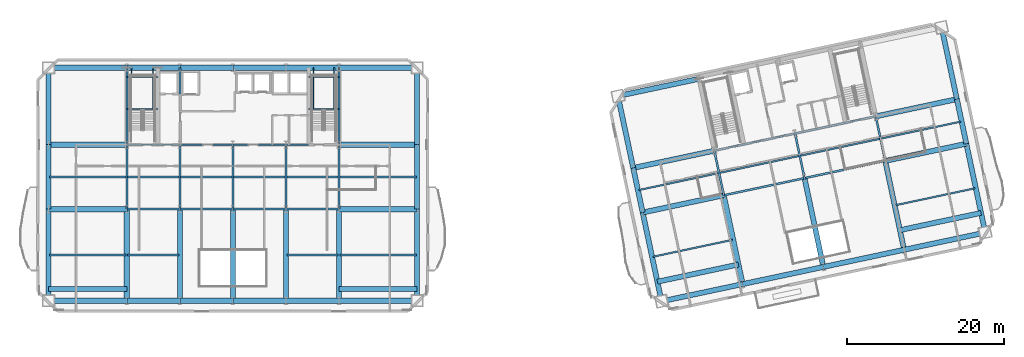
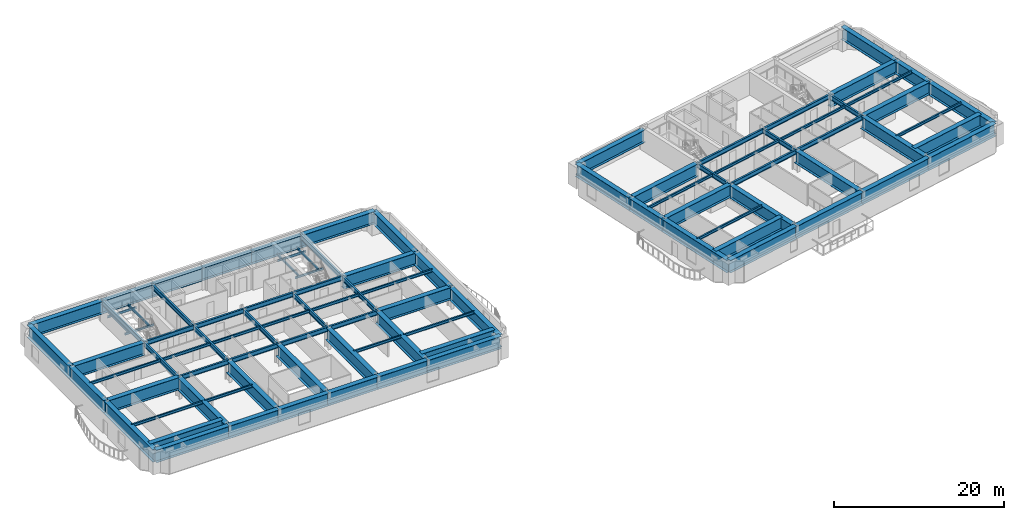
# One storey, part 3 of 16: 96 beams.
"""IFC4 building model written with IfcOpenShell, lengths in metres."""

from ifc_helpers import new_model, si_unit, direction, frame, origin, origin_2d, place, context, subcontext, project, spatial, i_section, extrude, material, material_profile, profile_set, type_object, element, save


model = new_model("IFC4")

# Units and contexts
model_context = context("Model", 3, precision=1e-05, world=origin(), true_north=direction((0.0, 1.0)))
body_context = subcontext(model_context, "Body", "Model", "MODEL_VIEW")
ifc_project = project(units=[si_unit("LENGTHUNIT", "METRE"), si_unit("AREAUNIT", "SQUARE_METRE"), si_unit("VOLUMEUNIT", "CUBIC_METRE"), si_unit("PLANEANGLEUNIT", "RADIAN"), si_unit("MASSUNIT", "GRAM", prefix="KILO")], contexts=[model_context])

# Site, building, storey
site_placement = place(None, origin())
site = spatial("IfcSite", under=ifc_project, at=site_placement, CompositionType="ELEMENT")
building_placement = place(site_placement, origin())
building = spatial("IfcBuilding", under=site, at=building_placement, Name="Haevon Station Towers", CompositionType="ELEMENT")
storey_placement = place(building_placement, frame((0.0, 0.0, 90.0)))
storey = spatial("IfcBuildingStorey", under=building, at=storey_placement, Name="L23", CompositionType="ELEMENT", Elevation=90.0)

# Beams
ifc_material_1 = material(Name="Steel S355", Category="steel")
ifc_material_profile_1 = material_profile(ifc_material_1, i_section(OverallWidth=0.25, OverallDepth=0.64990234375, WebThickness=0.012939453125, FlangeThickness=0.02197265625, at=origin_2d()), Name="H-650x250x13x22")
ifc_profile_set_1 = profile_set([ifc_material_profile_1], Name="Steel S355")
beam_type_1 = type_object("IfcBeamType", Name="BM-G650", PredefinedType="BEAM", material=ifc_profile_set_1)
for number, where, z_axis, x_axis, name in (
    (1, (24.0, 30.0, 2.72509765625), (1.0, 0.0, 0.0), (0.0, 1.0, 0.0), "BM-T1U-L23-02-02"),
    (2, (30.75, 30.0, 2.72509765625), (1.0, 0.0, 0.0), (0.0, 1.0, 0.0), "BM-T1U-L23-02-03"),
    (3, (37.5, 30.0, 2.72509765625), (1.0, 0.0, 0.0), (0.0, 1.0, 0.0), "BM-T1U-L23-02-04"),
    (4, (44.25, 30.0, 2.72509765625), (1.0, 0.0, 0.0), (0.0, 1.0, 0.0), "BM-T1U-L23-02-05"),
    (5, (24.0, 38.199951171875, 2.72509765625), (1.0, 0.0, 0.0), (0.0, 1.0, 0.0), "BM-T1U-L23-03-02"),
    (6, (30.75, 38.199951171875, 2.72509765625), (1.0, 0.0, 0.0), (0.0, 1.0, 0.0), "BM-T1U-L23-03-03"),
    (7, (37.5, 38.199951171875, 2.72509765625), (1.0, 0.0, 0.0), (0.0, 1.0, 0.0), "BM-T1U-L23-03-04"),
    (8, (44.25, 38.199951171875, 2.72509765625), (1.0, 0.0, 0.0), (0.0, 1.0, 0.0), "BM-T1U-L23-03-05"),
):
    element("IfcBeam", number, at=place(storey_placement, frame(where, z_axis=z_axis, x_axis=x_axis)), inside=storey, type_object=beam_type_1, Name=name, PredefinedType="BEAM", context=body_context, shape_type="SweptSolid", body=[
        extrude(i_section(OverallWidth=0.25, OverallDepth=0.64990234375, WebThickness=0.012939453125, FlangeThickness=0.02197265625, at=origin_2d()), origin(), (0.0, 0.0, 1.0), 6.75),
    ])
beam_1_placement = place(storey_placement, frame((24.0, 30.0, 2.72509765625), z_axis=(0.0, 1.0, 0.0), x_axis=(-1.0, 0.0, 0.0)))
element("IfcBeam", 9, at=beam_1_placement, inside=storey, type_object=beam_type_1, Name="BM-T1V-L23-02-02", PredefinedType="BEAM", context=body_context, shape_type="SweptSolid", body=[
    extrude(i_section(OverallWidth=0.25, OverallDepth=0.64990234375, WebThickness=0.012939453125, FlangeThickness=0.02197265625, at=origin_2d()), origin(), (0.0, 0.0, 1.0), 8.199951171875),
])
beam_2_placement = place(storey_placement, frame((24.0, 38.199951171875, 2.72509765625), z_axis=(0.0, 1.0, 0.0), x_axis=(-1.0, 0.0, 0.0)))
element("IfcBeam", 10, at=beam_2_placement, inside=storey, type_object=beam_type_1, Name="BM-T1V-L23-02-03", PredefinedType="BEAM", context=body_context, shape_type="SweptSolid", body=[
    extrude(i_section(OverallWidth=0.25, OverallDepth=0.64990234375, WebThickness=0.012939453125, FlangeThickness=0.02197265625, at=origin_2d()), origin(), (0.0, 0.0, 1.0), 9.800048828125),
])
beam_3_placement = place(storey_placement, frame((30.75, 30.0, 2.72509765625), z_axis=(0.0, 1.0, 0.0), x_axis=(-1.0, 0.0, 0.0)))
element("IfcBeam", 11, at=beam_3_placement, inside=storey, type_object=beam_type_1, Name="BM-T1V-L23-03-02", PredefinedType="BEAM", context=body_context, shape_type="SweptSolid", body=[
    extrude(i_section(OverallWidth=0.25, OverallDepth=0.64990234375, WebThickness=0.012939453125, FlangeThickness=0.02197265625, at=origin_2d()), origin(), (0.0, 0.0, 1.0), 8.199951171875),
])
beam_4_placement = place(storey_placement, frame((30.75, 38.199951171875, 2.72509765625), z_axis=(0.0, 1.0, 0.0), x_axis=(-1.0, 0.0, 0.0)))
element("IfcBeam", 12, at=beam_4_placement, inside=storey, type_object=beam_type_1, Name="BM-T1V-L23-03-03", PredefinedType="BEAM", context=body_context, shape_type="SweptSolid", body=[
    extrude(i_section(OverallWidth=0.25, OverallDepth=0.64990234375, WebThickness=0.012939453125, FlangeThickness=0.02197265625, at=origin_2d()), origin(), (0.0, 0.0, 1.0), 9.800048828125),
])
for number, where, z_axis, x_axis, name in (
    (13, (37.5, 30.0, 2.72509765625), (0.0, 1.0, 0.0), (-1.0, 0.0, 0.0), "BM-T1V-L23-04-02"),
    (14, (44.25, 30.0, 2.72509765625), (0.0, 1.0, 0.0), (-1.0, 0.0, 0.0), "BM-T1V-L23-05-02"),
    (15, (51.0, 30.0, 2.72509765625), (0.0, 1.0, 0.0), (-1.0, 0.0, 0.0), "BM-T1V-L23-06-02"),
):
    element("IfcBeam", number, at=place(storey_placement, frame(where, z_axis=z_axis, x_axis=x_axis)), inside=storey, type_object=beam_type_1, Name=name, PredefinedType="BEAM", context=body_context, shape_type="SweptSolid", body=[
        extrude(i_section(OverallWidth=0.25, OverallDepth=0.64990234375, WebThickness=0.012939453125, FlangeThickness=0.02197265625, at=origin_2d()), origin(), (0.0, 0.0, 1.0), 8.199951171875),
    ])
beam_5_placement = place(storey_placement, frame((51.0, 38.199951171875, 2.72509765625), z_axis=(0.0, 1.0, 0.0), x_axis=(-1.0, 0.0, 0.0)))
element("IfcBeam", 16, at=beam_5_placement, inside=storey, type_object=beam_type_1, Name="BM-T1V-L23-06-03", PredefinedType="BEAM", context=body_context, shape_type="SweptSolid", body=[
    extrude(i_section(OverallWidth=0.25, OverallDepth=0.64990234375, WebThickness=0.012939453125, FlangeThickness=0.02197265625, at=origin_2d()), origin(), (0.0, 0.0, 1.0), 9.800048828125),
])
for number, where, z_axis, x_axis, name in (
    (17, (99.958251953125, 31.76904296875, 2.72509765625), (0.978146794194, 0.207915485254, 0.0), (-0.207915485254, 0.978146794194, 0.0), "BM-T2U-L23-02-02"),
    (18, (110.228759765625, 33.9521484375, 2.72509765625), (0.978146794194, 0.207915485254, 0.0), (-0.207915485254, 0.978146794194, 0.0), "BM-T2U-L23-02-03"),
    (19, (98.75244140625, 37.4423828125, 2.72509765625), (0.978146794194, 0.207915485254, 0.0), (-0.207915485254, 0.978146794194, 0.0), "BM-T2U-L23-03-02"),
    (20, (109.02294921875, 39.62548828125, 2.72509765625), (0.978146794194, 0.207915485254, 0.0), (-0.207915485254, 0.978146794194, 0.0), "BM-T2U-L23-03-03"),
):
    element("IfcBeam", number, at=place(storey_placement, frame(where, z_axis=z_axis, x_axis=x_axis)), inside=storey, type_object=beam_type_1, Name=name, PredefinedType="BEAM", context=body_context, shape_type="SweptSolid", body=[
        extrude(i_section(OverallWidth=0.25, OverallDepth=0.64990234375, WebThickness=0.012939453125, FlangeThickness=0.02197265625, at=origin_2d()), origin(), (0.0, 0.0, 1.0), 10.5),
    ])
for number, where, z_axis, x_axis, name in (
    (21, (99.958251953125, 31.76904296875, 2.72509765625), (-0.207896009217, 0.97815093383, 0.0), (-0.97815093383, -0.207896009217, 0.0), "BM-T2V-L23-02-02"),
    (22, (110.228759765625, 33.9521484375, 2.72509765625), (-0.207896009217, 0.97815093383, 0.0), (-0.97815093383, -0.207896009217, 0.0), "BM-T2V-L23-03-02"),
    (23, (120.499267578125, 36.13525390625, 2.72509765625), (-0.207896009217, 0.97815093383, 0.0), (-0.97815093383, -0.207896009217, 0.0), "BM-T2V-L23-04-02"),
):
    element("IfcBeam", number, at=place(storey_placement, frame(where, z_axis=z_axis, x_axis=x_axis)), inside=storey, type_object=beam_type_1, Name=name, PredefinedType="BEAM", context=body_context, shape_type="SweptSolid", body=[
        extrude(i_section(OverallWidth=0.25, OverallDepth=0.64990234375, WebThickness=0.012939453125, FlangeThickness=0.02197265625, at=origin_2d()), origin(), (0.0, 0.0, 1.0), 5.800048828125),
    ])
ifc_material_profile_2 = material_profile(ifc_material_1, i_section(OverallWidth=0.199951171875, OverallDepth=0.39990234375, WebThickness=0.008056640625, FlangeThickness=0.012939453125, at=origin_2d()), Name="H-400x200x8x13")
ifc_profile_set_2 = profile_set([ifc_material_profile_2], Name="Steel S355")
beam_type_2 = type_object("IfcBeamType", Name="BM-J400", PredefinedType="JOIST", material=ifc_profile_set_2)
beam_6_placement = place(storey_placement, frame((14.159912109375, 24.175048828125, 2.85009765625), z_axis=(1.0, 0.0, 0.0), x_axis=(0.0, 1.0, 0.0)))
element("IfcBeam", 24, at=beam_6_placement, inside=storey, type_object=beam_type_2, Name="BM-T1J-L23-01-01", PredefinedType="JOIST", context=body_context, shape_type="SweptSolid", body=[
    extrude(i_section(OverallWidth=0.199951171875, OverallDepth=0.39990234375, WebThickness=0.008056640625, FlangeThickness=0.012939453125, at=origin_2d()), origin(), (0.0, 0.0, 1.0), 9.72998046875),
])
for number, where, z_axis, x_axis, name in (
    (25, (24.110107421875, 24.175048828125, 2.85009765625), (1.0, 0.0, 0.0), (0.0, 1.0, 0.0), "BM-T1J-L23-01-02"),
    (26, (44.360107421875, 24.175048828125, 2.85009765625), (1.0, 0.0, 0.0), (0.0, 1.0, 0.0), "BM-T1J-L23-01-05"),
):
    element("IfcBeam", number, at=place(storey_placement, frame(where, z_axis=z_axis, x_axis=x_axis)), inside=storey, type_object=beam_type_2, Name=name, PredefinedType="JOIST", context=body_context, shape_type="SweptSolid", body=[
        extrude(i_section(OverallWidth=0.199951171875, OverallDepth=0.39990234375, WebThickness=0.008056640625, FlangeThickness=0.012939453125, at=origin_2d()), origin(), (0.0, 0.0, 1.0), 6.52978515625),
    ])
for number, where, z_axis, x_axis, name in (
    (27, (51.110107421875, 24.175048828125, 2.85009765625), (1.0, 0.0, 0.0), (0.0, 1.0, 0.0), "BM-T1J-L23-01-06"),
    (28, (14.159912109375, 34.10009765625, 2.85009765625), (1.0, 0.0, 0.0), (0.0, 1.0, 0.0), "BM-T1J-L23-02-01"),
):
    element("IfcBeam", number, at=place(storey_placement, frame(where, z_axis=z_axis, x_axis=x_axis)), inside=storey, type_object=beam_type_2, Name=name, PredefinedType="JOIST", context=body_context, shape_type="SweptSolid", body=[
        extrude(i_section(OverallWidth=0.199951171875, OverallDepth=0.39990234375, WebThickness=0.008056640625, FlangeThickness=0.012939453125, at=origin_2d()), origin(), (0.0, 0.0, 1.0), 9.72998046875),
    ])
for number, where, z_axis, x_axis, name in (
    (29, (24.110107421875, 34.10009765625, 2.85009765625), (1.0, 0.0, 0.0), (0.0, 1.0, 0.0), "BM-T1J-L23-02-02"),
    (30, (30.860107421875, 34.10009765625, 2.85009765625), (1.0, 0.0, 0.0), (0.0, 1.0, 0.0), "BM-T1J-L23-02-03"),
    (31, (37.610107421875, 34.10009765625, 2.85009765625), (1.0, 0.0, 0.0), (0.0, 1.0, 0.0), "BM-T1J-L23-02-04"),
    (32, (44.360107421875, 34.10009765625, 2.85009765625), (1.0, 0.0, 0.0), (0.0, 1.0, 0.0), "BM-T1J-L23-02-05"),
):
    element("IfcBeam", number, at=place(storey_placement, frame(where, z_axis=z_axis, x_axis=x_axis)), inside=storey, type_object=beam_type_2, Name=name, PredefinedType="JOIST", context=body_context, shape_type="SweptSolid", body=[
        extrude(i_section(OverallWidth=0.199951171875, OverallDepth=0.39990234375, WebThickness=0.008056640625, FlangeThickness=0.012939453125, at=origin_2d()), origin(), (0.0, 0.0, 1.0), 6.52978515625),
    ])
beam_7_placement = place(storey_placement, frame((51.110107421875, 34.10009765625, 2.85009765625), z_axis=(1.0, 0.0, 0.0), x_axis=(0.0, 1.0, 0.0)))
element("IfcBeam", 33, at=beam_7_placement, inside=storey, type_object=beam_type_2, Name="BM-T1J-L23-02-06", PredefinedType="JOIST", context=body_context, shape_type="SweptSolid", body=[
    extrude(i_section(OverallWidth=0.199951171875, OverallDepth=0.39990234375, WebThickness=0.008056640625, FlangeThickness=0.012939453125, at=origin_2d()), origin(), (0.0, 0.0, 1.0), 9.72998046875),
])
for number, where, z_axis, x_axis, name in (
    (34, (90.947021484375, 23.94970703125, 2.85009765625), (0.978147977643, 0.207909917591, 0.0), (-0.207909917591, 0.978147977643, 0.0), "BM-T2J-L23-01-01"),
    (35, (121.8076171875, 30.50927734375, 2.85009765625), (0.978147977643, 0.207909917591, 0.0), (-0.207909917591, 0.978147977643, 0.0), "BM-T2J-L23-01-04"),
    (36, (89.1435546875, 32.435302734375, 2.85009765625), (0.978147977643, 0.207909917591, 0.0), (-0.207909917591, 0.978147977643, 0.0), "BM-T2J-L23-02-01"),
):
    element("IfcBeam", number, at=place(storey_placement, frame(where, z_axis=z_axis, x_axis=x_axis)), inside=storey, type_object=beam_type_2, Name=name, PredefinedType="JOIST", context=body_context, shape_type="SweptSolid", body=[
        extrude(i_section(OverallWidth=0.199951171875, OverallDepth=0.39990234375, WebThickness=0.008056640625, FlangeThickness=0.012939453125, at=origin_2d()), origin(), (0.0, 0.0, 1.0), 10.330078125),
    ])
for number, where, z_axis, x_axis, name in (
    (37, (99.462890625, 34.628662109375, 2.85009765625), (0.978150339653, 0.207898804801, 0.0), (-0.207898804801, 0.978150339653, 0.0), "BM-T2J-L23-02-02"),
    (38, (109.7333984375, 36.811767578125, 2.85009765625), (0.978150339653, 0.207898804801, 0.0), (-0.207898804801, 0.978150339653, 0.0), "BM-T2J-L23-02-03"),
):
    element("IfcBeam", number, at=place(storey_placement, frame(where, z_axis=z_axis, x_axis=x_axis)), inside=storey, type_object=beam_type_2, Name=name, PredefinedType="JOIST", context=body_context, shape_type="SweptSolid", body=[
        extrude(i_section(OverallWidth=0.199951171875, OverallDepth=0.39990234375, WebThickness=0.008056640625, FlangeThickness=0.012939453125, at=origin_2d()), origin(), (0.0, 0.0, 1.0), 10.280029296875),
    ])
beam_8_placement = place(storey_placement, frame((120.00390625, 38.994873046875, 2.85009765625), z_axis=(0.978147977643, 0.207909917591, 0.0), x_axis=(-0.207909917591, 0.978147977643, 0.0)))
element("IfcBeam", 39, at=beam_8_placement, inside=storey, type_object=beam_type_2, Name="BM-T2J-L23-02-04", PredefinedType="JOIST", context=body_context, shape_type="SweptSolid", body=[
    extrude(i_section(OverallWidth=0.199951171875, OverallDepth=0.39990234375, WebThickness=0.008056640625, FlangeThickness=0.012939453125, at=origin_2d()), origin(), (0.0, 0.0, 1.0), 10.330078125),
])
ifc_material_profile_3 = material_profile(ifc_material_1, i_section(OverallWidth=0.14990234375, OverallDepth=0.300048828125, WebThickness=0.006591796875, FlangeThickness=0.009033203125, at=origin_2d()), Name="H-300x150x6.5x9")
ifc_profile_set_3 = profile_set([ifc_material_profile_3], Name="Steel S355")
beam_type_3 = type_object("IfcBeamType", Name="BM-LIN300", PredefinedType="LINTEL", material=ifc_profile_set_3)
for number, where, z_axis, x_axis, name in (
    (40, (24.0, 42.743896484375, 1.300048828125), (1.0, 0.0, 0.0), (0.0, 1.0, 0.0), "BM-ST1L-L23-1-S"),
    (41, (24.0, 46.820068359375, 1.300048828125), (1.0, 0.0, 0.0), (0.0, 1.0, 0.0), "BM-ST1L-L23-1-N"),
):
    element("IfcBeam", number, at=place(storey_placement, frame(where, z_axis=z_axis, x_axis=x_axis)), inside=storey, type_object=beam_type_3, Name=name, PredefinedType="LINTEL", context=body_context, shape_type="SweptSolid", body=[
        extrude(i_section(OverallWidth=0.14990234375, OverallDepth=0.300048828125, WebThickness=0.006591796875, FlangeThickness=0.009033203125, at=origin_2d()), origin(), (0.0, 0.0, 1.0), 3.949951171875),
    ])
for number, where, z_axis, x_axis, name in (
    (42, (24.60009765625, 42.743896484375, 1.300048828125), (0.0, 1.0, 0.0), (-1.0, 0.0, 0.0), "BM-ST1L-L23-1-W"),
    (43, (27.35009765625, 42.743896484375, 1.300048828125), (0.0, 1.0, 0.0), (-1.0, 0.0, 0.0), "BM-ST1L-L23-1-E"),
):
    element("IfcBeam", number, at=place(storey_placement, frame(where, z_axis=z_axis, x_axis=x_axis)), inside=storey, type_object=beam_type_3, Name=name, PredefinedType="LINTEL", context=body_context, shape_type="SweptSolid", body=[
        extrude(i_section(OverallWidth=0.14990234375, OverallDepth=0.300048828125, WebThickness=0.006591796875, FlangeThickness=0.009033203125, at=origin_2d()), origin(), (0.0, 0.0, 1.0), 5.256103515625),
    ])
for number, where, z_axis, x_axis, name in (
    (44, (47.14990234375, 42.743896484375, 1.300048828125), (1.0, 0.0, 0.0), (0.0, 1.0, 0.0), "BM-ST2L-L23-1-S"),
    (45, (47.14990234375, 46.820068359375, 1.300048828125), (1.0, 0.0, 0.0), (0.0, 1.0, 0.0), "BM-ST2L-L23-1-N"),
):
    element("IfcBeam", number, at=place(storey_placement, frame(where, z_axis=z_axis, x_axis=x_axis)), inside=storey, type_object=beam_type_3, Name=name, PredefinedType="LINTEL", context=body_context, shape_type="SweptSolid", body=[
        extrude(i_section(OverallWidth=0.14990234375, OverallDepth=0.300048828125, WebThickness=0.006591796875, FlangeThickness=0.009033203125, at=origin_2d()), origin(), (0.0, 0.0, 1.0), 3.85009765625),
    ])
for number, where, z_axis, x_axis, name in (
    (46, (47.75, 42.743896484375, 1.300048828125), (0.0, 1.0, 0.0), (-1.0, 0.0, 0.0), "BM-ST2L-L23-1-W"),
    (47, (50.39990234375, 42.743896484375, 1.300048828125), (0.0, 1.0, 0.0), (-1.0, 0.0, 0.0), "BM-ST2L-L23-1-E"),
):
    element("IfcBeam", number, at=place(storey_placement, frame(where, z_axis=z_axis, x_axis=x_axis)), inside=storey, type_object=beam_type_3, Name=name, PredefinedType="LINTEL", context=body_context, shape_type="SweptSolid", body=[
        extrude(i_section(OverallWidth=0.14990234375, OverallDepth=0.300048828125, WebThickness=0.006591796875, FlangeThickness=0.009033203125, at=origin_2d()), origin(), (0.0, 0.0, 1.0), 5.256103515625),
    ])
ifc_material_2 = material(Name="Steel S460", Category="steel")
ifc_material_profile_4 = material_profile(ifc_material_2, i_section(OverallWidth=0.64990234375, OverallDepth=1.800048828125, WebThickness=0.02490234375, FlangeThickness=0.0400390625, at=origin_2d()), Name="H-1800x650x25x40")
ifc_profile_set_4 = profile_set([ifc_material_profile_4], Name="Steel S460")
beam_type_4 = type_object("IfcBeamType", Name="BM-TG1800", PredefinedType="BEAM", material=ifc_profile_set_4)
beam_9_placement = place(storey_placement, frame((14.050048828125, 18.35009765625, 2.14990234375), z_axis=(1.0, 0.0, 0.0), x_axis=(0.0, 1.0, 0.0)))
element("IfcBeam", 48, at=beam_9_placement, inside=storey, type_object=beam_type_4, Name="BM-T1U-L23-01-01", PredefinedType="BEAM", context=body_context, shape_type="SweptSolid", body=[
    extrude(i_section(OverallWidth=0.64990234375, OverallDepth=1.800048828125, WebThickness=0.02490234375, FlangeThickness=0.0400390625, at=origin_2d()), origin(), (0.0, 0.0, 1.0), 9.949951171875),
])
for number, where, z_axis, x_axis, name in (
    (49, (24.0, 18.35009765625, 2.14990234375), (1.0, 0.0, 0.0), (0.0, 1.0, 0.0), "BM-T1U-L23-01-02"),
    (50, (30.75, 18.35009765625, 2.14990234375), (1.0, 0.0, 0.0), (0.0, 1.0, 0.0), "BM-T1U-L23-01-03"),
    (51, (37.5, 18.35009765625, 2.14990234375), (1.0, 0.0, 0.0), (0.0, 1.0, 0.0), "BM-T1U-L23-01-04"),
    (52, (44.25, 18.35009765625, 2.14990234375), (1.0, 0.0, 0.0), (0.0, 1.0, 0.0), "BM-T1U-L23-01-05"),
):
    element("IfcBeam", number, at=place(storey_placement, frame(where, z_axis=z_axis, x_axis=x_axis)), inside=storey, type_object=beam_type_4, Name=name, PredefinedType="BEAM", context=body_context, shape_type="SweptSolid", body=[
        extrude(i_section(OverallWidth=0.64990234375, OverallDepth=1.800048828125, WebThickness=0.02490234375, FlangeThickness=0.0400390625, at=origin_2d()), origin(), (0.0, 0.0, 1.0), 6.75),
    ])
for number, where, z_axis, x_axis, name in (
    (53, (51.0, 18.35009765625, 2.14990234375), (1.0, 0.0, 0.0), (0.0, 1.0, 0.0), "BM-T1U-L23-01-06"),
    (54, (14.050048828125, 30.0, 2.14990234375), (1.0, 0.0, 0.0), (0.0, 1.0, 0.0), "BM-T1U-L23-02-01"),
    (55, (51.0, 30.0, 2.14990234375), (1.0, 0.0, 0.0), (0.0, 1.0, 0.0), "BM-T1U-L23-02-06"),
    (56, (14.050048828125, 38.199951171875, 2.14990234375), (1.0, 0.0, 0.0), (0.0, 1.0, 0.0), "BM-T1U-L23-03-01"),
    (57, (51.0, 38.199951171875, 2.14990234375), (1.0, 0.0, 0.0), (0.0, 1.0, 0.0), "BM-T1U-L23-03-06"),
    (58, (14.050048828125, 48.0, 2.14990234375), (1.0, 0.0, 0.0), (0.0, 1.0, 0.0), "BM-T1U-L23-04-01"),
):
    element("IfcBeam", number, at=place(storey_placement, frame(where, z_axis=z_axis, x_axis=x_axis)), inside=storey, type_object=beam_type_4, Name=name, PredefinedType="BEAM", context=body_context, shape_type="SweptSolid", body=[
        extrude(i_section(OverallWidth=0.64990234375, OverallDepth=1.800048828125, WebThickness=0.02490234375, FlangeThickness=0.0400390625, at=origin_2d()), origin(), (0.0, 0.0, 1.0), 9.949951171875),
    ])
for number, where, z_axis, x_axis, name in (
    (59, (24.0, 48.0, 2.14990234375), (1.0, 0.0, 0.0), (0.0, 1.0, 0.0), "BM-T1U-L23-04-02"),
    (60, (30.75, 48.0, 2.14990234375), (1.0, 0.0, 0.0), (0.0, 1.0, 0.0), "BM-T1U-L23-04-03"),
    (61, (37.5, 48.0, 2.14990234375), (1.0, 0.0, 0.0), (0.0, 1.0, 0.0), "BM-T1U-L23-04-04"),
    (62, (44.25, 48.0, 2.14990234375), (1.0, 0.0, 0.0), (0.0, 1.0, 0.0), "BM-T1U-L23-04-05"),
):
    element("IfcBeam", number, at=place(storey_placement, frame(where, z_axis=z_axis, x_axis=x_axis)), inside=storey, type_object=beam_type_4, Name=name, PredefinedType="BEAM", context=body_context, shape_type="SweptSolid", body=[
        extrude(i_section(OverallWidth=0.64990234375, OverallDepth=1.800048828125, WebThickness=0.02490234375, FlangeThickness=0.0400390625, at=origin_2d()), origin(), (0.0, 0.0, 1.0), 6.75),
    ])
beam_10_placement = place(storey_placement, frame((51.0, 48.0, 2.14990234375), z_axis=(1.0, 0.0, 0.0), x_axis=(0.0, 1.0, 0.0)))
element("IfcBeam", 63, at=beam_10_placement, inside=storey, type_object=beam_type_4, Name="BM-T1U-L23-04-06", PredefinedType="BEAM", context=body_context, shape_type="SweptSolid", body=[
    extrude(i_section(OverallWidth=0.64990234375, OverallDepth=1.800048828125, WebThickness=0.02490234375, FlangeThickness=0.0400390625, at=origin_2d()), origin(), (0.0, 0.0, 1.0), 9.949951171875),
])
beam_11_placement = place(storey_placement, frame((14.050048828125, 18.35009765625, 2.14990234375), z_axis=(0.0, 1.0, 0.0), x_axis=(-1.0, 0.0, 0.0)))
element("IfcBeam", 64, at=beam_11_placement, inside=storey, type_object=beam_type_4, Name="BM-T1V-L23-01-01", PredefinedType="BEAM", context=body_context, shape_type="SweptSolid", body=[
    extrude(i_section(OverallWidth=0.64990234375, OverallDepth=1.800048828125, WebThickness=0.02490234375, FlangeThickness=0.0400390625, at=origin_2d()), origin(), (0.0, 0.0, 1.0), 11.64990234375),
])
beam_12_placement = place(storey_placement, frame((14.050048828125, 30.0, 2.14990234375), z_axis=(0.0, 1.0, 0.0), x_axis=(-1.0, 0.0, 0.0)))
element("IfcBeam", 65, at=beam_12_placement, inside=storey, type_object=beam_type_4, Name="BM-T1V-L23-01-02", PredefinedType="BEAM", context=body_context, shape_type="SweptSolid", body=[
    extrude(i_section(OverallWidth=0.64990234375, OverallDepth=1.800048828125, WebThickness=0.02490234375, FlangeThickness=0.0400390625, at=origin_2d()), origin(), (0.0, 0.0, 1.0), 8.199951171875),
])
beam_13_placement = place(storey_placement, frame((14.050048828125, 38.199951171875, 2.14990234375), z_axis=(0.0, 1.0, 0.0), x_axis=(-1.0, 0.0, 0.0)))
element("IfcBeam", 66, at=beam_13_placement, inside=storey, type_object=beam_type_4, Name="BM-T1V-L23-01-03", PredefinedType="BEAM", context=body_context, shape_type="SweptSolid", body=[
    extrude(i_section(OverallWidth=0.64990234375, OverallDepth=1.800048828125, WebThickness=0.02490234375, FlangeThickness=0.0400390625, at=origin_2d()), origin(), (0.0, 0.0, 1.0), 9.800048828125),
])
for number, where, z_axis, x_axis, name in (
    (67, (24.0, 18.35009765625, 2.14990234375), (0.0, 1.0, 0.0), (-1.0, 0.0, 0.0), "BM-T1V-L23-02-01"),
    (68, (30.75, 18.35009765625, 2.14990234375), (0.0, 1.0, 0.0), (-1.0, 0.0, 0.0), "BM-T1V-L23-03-01"),
    (69, (37.5, 18.35009765625, 2.14990234375), (0.0, 1.0, 0.0), (-1.0, 0.0, 0.0), "BM-T1V-L23-04-01"),
    (70, (44.25, 18.35009765625, 2.14990234375), (0.0, 1.0, 0.0), (-1.0, 0.0, 0.0), "BM-T1V-L23-05-01"),
    (71, (51.0, 18.35009765625, 2.14990234375), (0.0, 1.0, 0.0), (-1.0, 0.0, 0.0), "BM-T1V-L23-06-01"),
    (72, (60.949951171875, 18.35009765625, 2.14990234375), (0.0, 1.0, 0.0), (-1.0, 0.0, 0.0), "BM-T1V-L23-07-01"),
):
    element("IfcBeam", number, at=place(storey_placement, frame(where, z_axis=z_axis, x_axis=x_axis)), inside=storey, type_object=beam_type_4, Name=name, PredefinedType="BEAM", context=body_context, shape_type="SweptSolid", body=[
        extrude(i_section(OverallWidth=0.64990234375, OverallDepth=1.800048828125, WebThickness=0.02490234375, FlangeThickness=0.0400390625, at=origin_2d()), origin(), (0.0, 0.0, 1.0), 11.64990234375),
    ])
beam_14_placement = place(storey_placement, frame((60.949951171875, 30.0, 2.14990234375), z_axis=(0.0, 1.0, 0.0), x_axis=(-1.0, 0.0, 0.0)))
element("IfcBeam", 73, at=beam_14_placement, inside=storey, type_object=beam_type_4, Name="BM-T1V-L23-07-02", PredefinedType="BEAM", context=body_context, shape_type="SweptSolid", body=[
    extrude(i_section(OverallWidth=0.64990234375, OverallDepth=1.800048828125, WebThickness=0.02490234375, FlangeThickness=0.0400390625, at=origin_2d()), origin(), (0.0, 0.0, 1.0), 8.199951171875),
])
beam_15_placement = place(storey_placement, frame((60.949951171875, 38.199951171875, 2.14990234375), z_axis=(0.0, 1.0, 0.0), x_axis=(-1.0, 0.0, 0.0)))
element("IfcBeam", 74, at=beam_15_placement, inside=storey, type_object=beam_type_4, Name="BM-T1V-L23-07-03", PredefinedType="BEAM", context=body_context, shape_type="SweptSolid", body=[
    extrude(i_section(OverallWidth=0.64990234375, OverallDepth=1.800048828125, WebThickness=0.02490234375, FlangeThickness=0.0400390625, at=origin_2d()), origin(), (0.0, 0.0, 1.0), 9.800048828125),
])
for number, where, z_axis, x_axis, name in (
    (75, (14.050048828125, 19.85009765625, 2.14990234375), (1.0, 0.0, 0.0), (0.0, 1.0, 0.0), "BM-T1CTRN-L23-1"),
    (76, (51.0, 19.85009765625, 2.14990234375), (1.0, 0.0, 0.0), (0.0, 1.0, 0.0), "BM-T1CTRN-L23-2"),
):
    element("IfcBeam", number, at=place(storey_placement, frame(where, z_axis=z_axis, x_axis=x_axis)), inside=storey, type_object=beam_type_4, Name=name, PredefinedType="BEAM", context=body_context, shape_type="SweptSolid", body=[
        extrude(i_section(OverallWidth=0.64990234375, OverallDepth=1.800048828125, WebThickness=0.02490234375, FlangeThickness=0.0400390625, at=origin_2d()), origin(), (0.0, 0.0, 1.0), 9.949951171875),
    ])
beam_16_placement = place(storey_placement, frame((92.040283203125, 18.278076171875, 2.14990234375), z_axis=(0.978149204359, 0.207904146209, 0.0), x_axis=(-0.207904146209, 0.978149204359, 0.0)))
element("IfcBeam", 77, at=beam_16_placement, inside=storey, type_object=beam_type_4, Name="BM-T2U-L23-01-01", PredefinedType="BEAM", context=body_context, shape_type="SweptSolid", body=[
    extrude(i_section(OverallWidth=0.64990234375, OverallDepth=1.800048828125, WebThickness=0.02490234375, FlangeThickness=0.0400390625, at=origin_2d()), origin(), (0.0, 0.0, 1.0), 10.5498046875),
])
for number, where, z_axis, x_axis, name in (
    (78, (102.359619140625, 20.471435546875, 2.14990234375), (0.978146794194, 0.207915485254, 0.0), (-0.207915485254, 0.978146794194, 0.0), "BM-T2U-L23-01-02"),
    (79, (112.630126953125, 22.654541015625, 2.14990234375), (0.978146794194, 0.207915485254, 0.0), (-0.207915485254, 0.978146794194, 0.0), "BM-T2U-L23-01-03"),
):
    element("IfcBeam", number, at=place(storey_placement, frame(where, z_axis=z_axis, x_axis=x_axis)), inside=storey, type_object=beam_type_4, Name=name, PredefinedType="BEAM", context=body_context, shape_type="SweptSolid", body=[
        extrude(i_section(OverallWidth=0.64990234375, OverallDepth=1.800048828125, WebThickness=0.02490234375, FlangeThickness=0.0400390625, at=origin_2d()), origin(), (0.0, 0.0, 1.0), 10.5),
    ])
for number, where, z_axis, x_axis, name in (
    (80, (122.900634765625, 24.837646484375, 2.14990234375), (0.978145498476, 0.207921580918, 0.0), (-0.207921580918, 0.978145498476, 0.0), "BM-T2U-L23-01-04"),
    (81, (89.638671875, 29.57568359375, 2.14990234375), (0.978150204601, 0.207899440208, 0.0), (-0.207899440208, 0.978150204601, 0.0), "BM-T2U-L23-02-01"),
    (82, (120.499267578125, 36.13525390625, 2.14990234375), (0.978145498476, 0.207921580918, 0.0), (-0.207921580918, 0.978145498476, 0.0), "BM-T2U-L23-02-04"),
    (83, (88.432861328125, 35.2490234375, 2.14990234375), (0.978150204601, 0.207899440208, 0.0), (-0.207899440208, 0.978150204601, 0.0), "BM-T2U-L23-03-01"),
):
    element("IfcBeam", number, at=place(storey_placement, frame(where, z_axis=z_axis, x_axis=x_axis)), inside=storey, type_object=beam_type_4, Name=name, PredefinedType="BEAM", context=body_context, shape_type="SweptSolid", body=[
        extrude(i_section(OverallWidth=0.64990234375, OverallDepth=1.800048828125, WebThickness=0.02490234375, FlangeThickness=0.0400390625, at=origin_2d()), origin(), (0.0, 0.0, 1.0), 10.550048828125),
    ])
for number, where, z_axis, x_axis, name in (
    (84, (119.29345703125, 41.80859375, 2.14990234375), (0.978149204359, 0.207904146209, 0.0), (-0.207904146209, 0.978149204359, 0.0), "BM-T2U-L23-03-04"),
    (85, (86.489013671875, 44.39453125, 2.14990234375), (0.978144498026, 0.207926287375, 0.0), (-0.207926287375, 0.978144498026, 0.0), "BM-T2U-L23-04-01"),
):
    element("IfcBeam", number, at=place(storey_placement, frame(where, z_axis=z_axis, x_axis=x_axis)), inside=storey, type_object=beam_type_4, Name=name, PredefinedType="BEAM", context=body_context, shape_type="SweptSolid", body=[
        extrude(i_section(OverallWidth=0.64990234375, OverallDepth=1.800048828125, WebThickness=0.02490234375, FlangeThickness=0.0400390625, at=origin_2d()), origin(), (0.0, 0.0, 1.0), 10.5498046875),
    ])
beam_17_placement = place(storey_placement, frame((92.040283203125, 18.278076171875, 2.14990234375), z_axis=(-0.207930804564, 0.978143537786, 0.0), x_axis=(-0.978143537786, -0.207930804564, 0.0)))
element("IfcBeam", 86, at=beam_17_placement, inside=storey, type_object=beam_type_4, Name="BM-T2V-L23-01-01", PredefinedType="BEAM", context=body_context, shape_type="SweptSolid", body=[
    extrude(i_section(OverallWidth=0.64990234375, OverallDepth=1.800048828125, WebThickness=0.02490234375, FlangeThickness=0.0400390625, at=origin_2d()), origin(), (0.0, 0.0, 1.0), 11.550048828125),
])
beam_18_placement = place(storey_placement, frame((89.638671875, 29.57568359375, 2.14990234375), z_axis=(-0.207896009217, 0.97815093383, 0.0), x_axis=(-0.97815093383, -0.207896009217, 0.0)))
element("IfcBeam", 87, at=beam_18_placement, inside=storey, type_object=beam_type_4, Name="BM-T2V-L23-01-02", PredefinedType="BEAM", context=body_context, shape_type="SweptSolid", body=[
    extrude(i_section(OverallWidth=0.64990234375, OverallDepth=1.800048828125, WebThickness=0.02490234375, FlangeThickness=0.0400390625, at=origin_2d()), origin(), (0.0, 0.0, 1.0), 5.800048828125),
])
beam_19_placement = place(storey_placement, frame((88.432861328125, 35.2490234375, 2.14990234375), z_axis=(-0.207902477038, 0.978149559138, 0.0), x_axis=(-0.978149559138, -0.207902477038, 0.0)))
element("IfcBeam", 88, at=beam_19_placement, inside=storey, type_object=beam_type_4, Name="BM-T2V-L23-01-03", PredefinedType="BEAM", context=body_context, shape_type="SweptSolid", body=[
    extrude(i_section(OverallWidth=0.64990234375, OverallDepth=1.800048828125, WebThickness=0.02490234375, FlangeThickness=0.0400390625, at=origin_2d()), origin(), (0.0, 0.0, 1.0), 9.349853515625),
])
for number, where, z_axis, x_axis, name in (
    (89, (102.359619140625, 20.471435546875, 2.14990234375), (-0.207910580697, 0.978147836697, 0.0), (-0.978147836697, -0.207910580697, 0.0), "BM-T2V-L23-02-01"),
    (90, (112.630126953125, 22.654541015625, 2.14990234375), (-0.207910580697, 0.978147836697, 0.0), (-0.978147836697, -0.207910580697, 0.0), "BM-T2V-L23-03-01"),
    (91, (122.900634765625, 24.837646484375, 2.14990234375), (-0.207910580697, 0.978147836697, 0.0), (-0.978147836697, -0.207910580697, 0.0), "BM-T2V-L23-04-01"),
    (92, (133.22021484375, 27.03125, 2.14990234375), (-0.207910580697, 0.978147836697, 0.0), (-0.978147836697, -0.207910580697, 0.0), "BM-T2V-L23-05-01"),
):
    element("IfcBeam", number, at=place(storey_placement, frame(where, z_axis=z_axis, x_axis=x_axis)), inside=storey, type_object=beam_type_4, Name=name, PredefinedType="BEAM", context=body_context, shape_type="SweptSolid", body=[
        extrude(i_section(OverallWidth=0.64990234375, OverallDepth=1.800048828125, WebThickness=0.02490234375, FlangeThickness=0.0400390625, at=origin_2d()), origin(), (0.0, 0.0, 1.0), 11.550048828125),
    ])
beam_20_placement = place(storey_placement, frame((130.81884765625, 38.328857421875, 2.14990234375), z_axis=(-0.207944843707, 0.978140553282, 0.0), x_axis=(-0.978140553282, -0.207944843707, 0.0)))
element("IfcBeam", 93, at=beam_20_placement, inside=storey, type_object=beam_type_4, Name="BM-T2V-L23-05-02", PredefinedType="BEAM", context=body_context, shape_type="SweptSolid", body=[
    extrude(i_section(OverallWidth=0.64990234375, OverallDepth=1.800048828125, WebThickness=0.02490234375, FlangeThickness=0.0400390625, at=origin_2d()), origin(), (0.0, 0.0, 1.0), 5.7998046875),
])
beam_21_placement = place(storey_placement, frame((129.61279296875, 44.001953125, 2.14990234375), z_axis=(-0.207897167074, 0.978150687738, 0.0), x_axis=(-0.978150687738, -0.207897167074, 0.0)))
element("IfcBeam", 94, at=beam_21_placement, inside=storey, type_object=beam_type_4, Name="BM-T2V-L23-05-03", PredefinedType="BEAM", context=body_context, shape_type="SweptSolid", body=[
    extrude(i_section(OverallWidth=0.64990234375, OverallDepth=1.800048828125, WebThickness=0.02490234375, FlangeThickness=0.0400390625, at=origin_2d()), origin(), (0.0, 0.0, 1.0), 9.35009765625),
])
for number, where, z_axis, x_axis, name in (
    (95, (91.510009765625, 20.7724609375, 2.14990234375), (0.978149204359, 0.207904146209, 0.0), (-0.207904146209, 0.978149204359, 0.0), "BM-T2CTRN-L23-1"),
    (96, (122.37060546875, 27.33203125, 2.14990234375), (0.978149204359, 0.207904146209, 0.0), (-0.207904146209, 0.978149204359, 0.0), "BM-T2CTRN-L23-2"),
):
    element("IfcBeam", number, at=place(storey_placement, frame(where, z_axis=z_axis, x_axis=x_axis)), inside=storey, type_object=beam_type_4, Name=name, PredefinedType="BEAM", context=body_context, shape_type="SweptSolid", body=[
        extrude(i_section(OverallWidth=0.64990234375, OverallDepth=1.800048828125, WebThickness=0.02490234375, FlangeThickness=0.0400390625, at=origin_2d()), origin(), (0.0, 0.0, 1.0), 10.5498046875),
    ])

save(model, "model.ifc")
